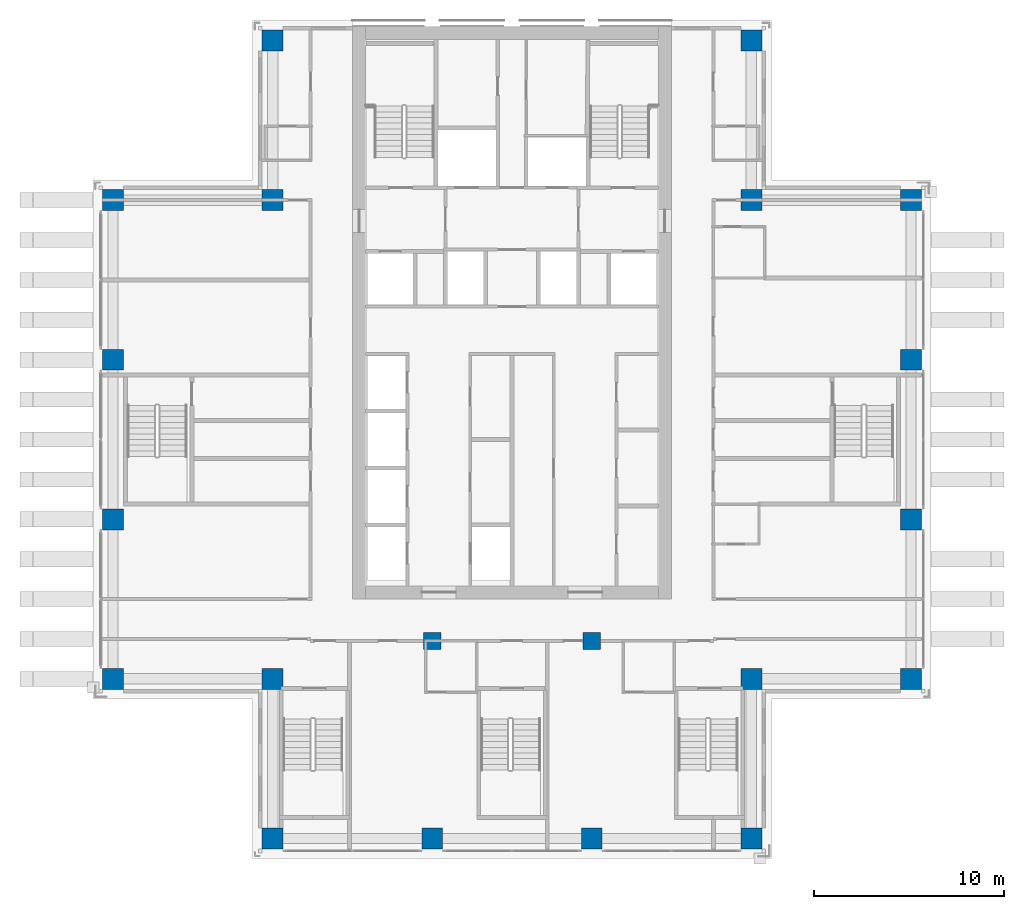
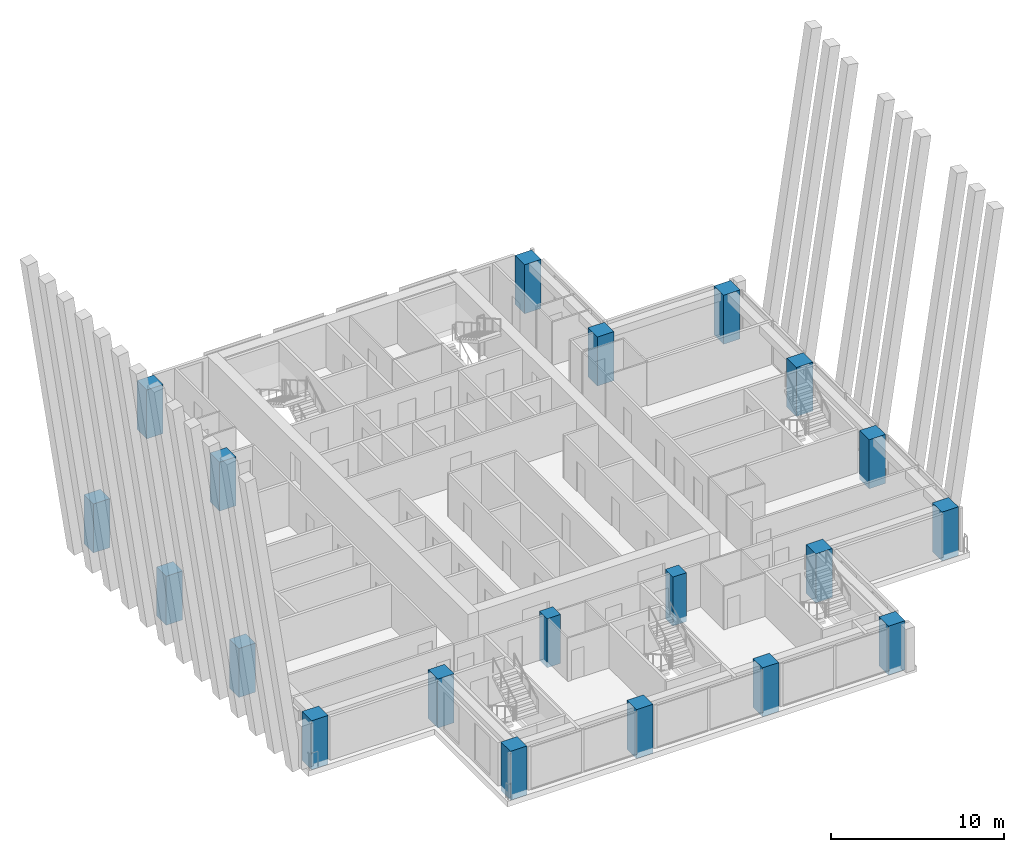
# One storey, part 1 of 15: 20 columns.
"""IFC4 building model written with IfcOpenShell, lengths in metres."""

from ifc_helpers import new_model, si_unit, direction, frame, origin, origin_2d, place, context, subcontext, project, spatial, rectangle, extrude, material, material_profile, profile_set, type_object, element, save


model = new_model("IFC4")

# Units and contexts
model_context = context("Model", 3, precision=1e-05, world=origin(), true_north=direction((0.0, 1.0)))
body_context = subcontext(model_context, "Body", "Model", "MODEL_VIEW")
ifc_project = project(units=[si_unit("LENGTHUNIT", "METRE"), si_unit("AREAUNIT", "SQUARE_METRE"), si_unit("VOLUMEUNIT", "CUBIC_METRE"), si_unit("PLANEANGLEUNIT", "RADIAN"), si_unit("MASSUNIT", "GRAM", prefix="KILO")], contexts=[model_context])

# Site, building, storey
site_placement = place(None, origin())
site = spatial("IfcSite", under=ifc_project, at=site_placement, CompositionType="ELEMENT")
building_placement = place(site_placement, origin())
building = spatial("IfcBuilding", under=site, at=building_placement, Name="Vermilion Ogive Tower", CompositionType="ELEMENT")
storey_placement = place(building_placement, frame((0.0, 0.0, 153.800048828125)))
storey = spatial("IfcBuildingStorey", under=building, at=storey_placement, Name="L39", CompositionType="ELEMENT", Elevation=153.800048828125)

# Columns
ifc_material_1 = material(Name="Concrete B60", Category="concrete")
ifc_material_profile_1 = material_profile(ifc_material_1, rectangle(XDim=1.10009765625, YDim=1.10009765625, at=origin_2d()), Name="1100 x 1100")
ifc_profile_set_1 = profile_set([ifc_material_profile_1], Name="Concrete B60")
column_type_1 = type_object("IfcColumnType", Name="Perimeter column 1100 x 1100 B60", PredefinedType="COLUMN", material=ifc_profile_set_1)
for number, where, z_axis, x_axis, name in (
    (1, (-12.60009765625, -21.0, -0.400146484375), (0.0, 0.0, 1.0), (1.0, 0.0, 0.0), "COL-L39-P-0126-210"),
    (2, (-4.199951171875, -21.0, -0.400146484375), (0.0, 0.0, 1.0), (1.0, 0.0, 0.0), "COL-L39-P-0042-210"),
    (3, (4.199951171875, -21.0, -0.400146484375), (0.0, 0.0, 1.0), (1.0, 0.0, 0.0), "COL-L39-P+0042-210"),
    (4, (12.60009765625, -21.0, -0.400146484375), (0.0, 0.0, 1.0), (1.0, 0.0, 0.0), "COL-L39-P+0126-210"),
    (5, (-21.0, -12.60009765625, -0.400146484375), (0.0, 0.0, 1.0), (1.0, 0.0, 0.0), "COL-L39-P-0210-126"),
    (6, (-12.60009765625, -12.60009765625, -0.400146484375), (0.0, 0.0, 1.0), (1.0, 0.0, 0.0), "COL-L39-P-0126-126"),
    (7, (12.60009765625, -12.60009765625, -0.400146484375), (0.0, 0.0, 1.0), (1.0, 0.0, 0.0), "COL-L39-P+0126-126"),
    (8, (21.0, -12.60009765625, -0.400146484375), (0.0, 0.0, 1.0), (1.0, 0.0, 0.0), "COL-L39-P+0210-126"),
    (9, (-21.0, -4.199951171875, -0.400146484375), (0.0, 0.0, 1.0), (1.0, 0.0, 0.0), "COL-L39-P-0210-042"),
    (10, (21.0, -4.199951171875, -0.400146484375), (0.0, 0.0, 1.0), (1.0, 0.0, 0.0), "COL-L39-P+0210-042"),
    (11, (-21.0, 4.199951171875, -0.400146484375), (0.0, 0.0, 1.0), (1.0, 0.0, 0.0), "COL-L39-P-0210+042"),
    (12, (21.0, 4.199951171875, -0.400146484375), (0.0, 0.0, 1.0), (1.0, 0.0, 0.0), "COL-L39-P+0210+042"),
    (13, (-21.0, 12.60009765625, -0.400146484375), (0.0, 0.0, 1.0), (1.0, 0.0, 0.0), "COL-L39-P-0210+126"),
    (14, (-12.60009765625, 12.60009765625, -0.400146484375), (0.0, 0.0, 1.0), (1.0, 0.0, 0.0), "COL-L39-P-0126+126"),
    (15, (12.60009765625, 12.60009765625, -0.400146484375), (0.0, 0.0, 1.0), (1.0, 0.0, 0.0), "COL-L39-P+0126+126"),
    (16, (21.0, 12.60009765625, -0.400146484375), (0.0, 0.0, 1.0), (1.0, 0.0, 0.0), "COL-L39-P+0210+126"),
    (17, (-12.60009765625, 21.0, -0.400146484375), (0.0, 0.0, 1.0), (1.0, 0.0, 0.0), "COL-L39-P-0126+210"),
    (18, (12.60009765625, 21.0, -0.400146484375), (0.0, 0.0, 1.0), (1.0, 0.0, 0.0), "COL-L39-P+0126+210"),
):
    element("IfcColumn", number, at=place(storey_placement, frame(where, z_axis=z_axis, x_axis=x_axis)), inside=storey, type_object=column_type_1, Name=name, PredefinedType="COLUMN", context=body_context, shape_type="SweptSolid", body=[
        extrude(rectangle(XDim=1.10009765625, YDim=1.10009765625, at=origin_2d()), origin(), (0.0, 0.0, 1.0), 3.4501953125),
    ])
ifc_material_2 = material(Name="Concrete B60", Category="concrete")
ifc_material_profile_2 = material_profile(ifc_material_2, rectangle(XDim=0.89990234375, YDim=0.89990234375, at=origin_2d()), Name="900 x 900")
ifc_profile_set_2 = profile_set([ifc_material_profile_2], Name="Concrete B60")
column_type_2 = type_object("IfcColumnType", Name="Ring column 900 x 900 B60", PredefinedType="COLUMN", material=ifc_profile_set_2)
for number, where, z_axis, x_axis, name in (
    (19, (-4.199951171875, -10.60009765625, -0.400146484375), (0.0, 0.0, 1.0), (1.0, 0.0, 0.0), "COL-L39-R-0042-106"),
    (20, (4.199951171875, -10.60009765625, -0.400146484375), (0.0, 0.0, 1.0), (1.0, 0.0, 0.0), "COL-L39-R+0042-106"),
):
    element("IfcColumn", number, at=place(storey_placement, frame(where, z_axis=z_axis, x_axis=x_axis)), inside=storey, type_object=column_type_2, Name=name, PredefinedType="COLUMN", context=body_context, shape_type="SweptSolid", body=[
        extrude(rectangle(XDim=0.89990234375, YDim=0.89990234375, at=origin_2d()), origin(), (0.0, 0.0, 1.0), 3.4501953125),
    ])

save(model, "model.ifc")
